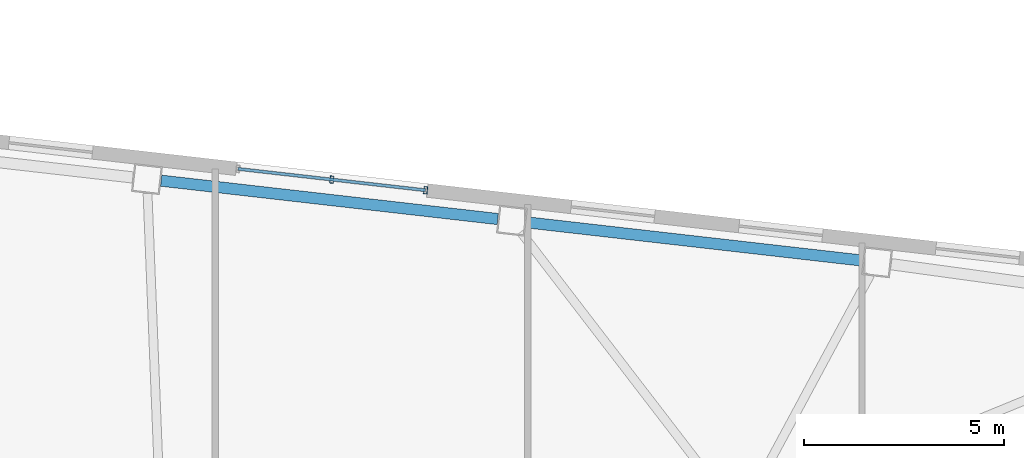
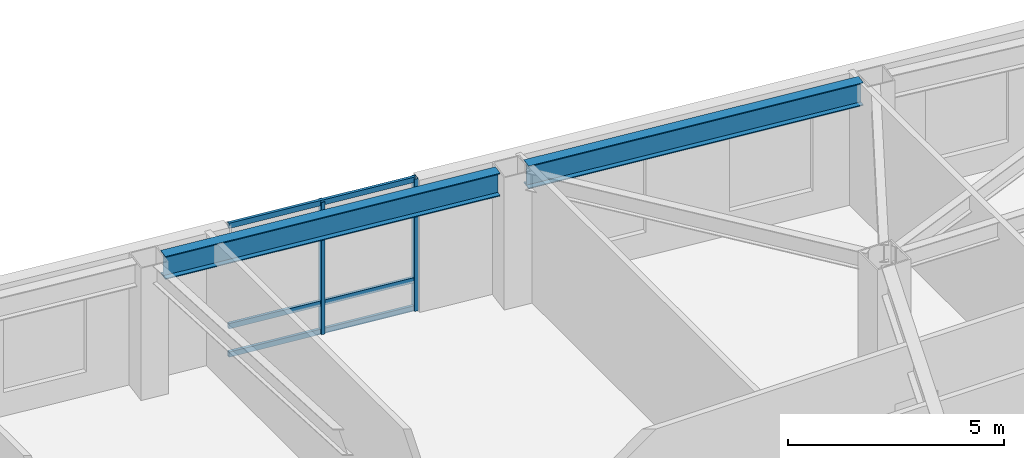
# One storey, part 8 of 19: 5 members, 2 beams, 1 element without a shape of its own.
"""IFC4 building model written with IfcOpenShell, lengths in metres."""

from ifc_helpers import new_model, si_unit, direction, frame, origin, origin_2d, place, context, subcontext, project, spatial, hollow_rectangle, i_section, extrude, material, layer, layer_set, material_profile, profile_set, type_object, element, aggregate, save


model = new_model("IFC4")

# Units and contexts
model_context = context("Model", 3, precision=1e-05, world=origin(), true_north=direction((0.0, 1.0)))
body_context = subcontext(model_context, "Body", "Model", "MODEL_VIEW")
ifc_project = project(units=[si_unit("LENGTHUNIT", "METRE"), si_unit("AREAUNIT", "SQUARE_METRE"), si_unit("VOLUMEUNIT", "CUBIC_METRE"), si_unit("PLANEANGLEUNIT", "RADIAN"), si_unit("MASSUNIT", "GRAM", prefix="KILO")], contexts=[model_context])

# Site, building, storey
site_placement = place(None, origin())
site = spatial("IfcSite", under=ifc_project, at=site_placement, CompositionType="ELEMENT")
building_placement = place(site_placement, origin())
building = spatial("IfcBuilding", under=site, at=building_placement, Name="Tavrogorsk Clinical Tower", CompositionType="ELEMENT")
storey_placement = place(building_placement, frame((0.0, 0.0, 101.39990234375)))
storey = spatial("IfcBuildingStorey", under=building, at=storey_placement, Name="L22", CompositionType="ELEMENT", Elevation=101.39990234375)

# Curtain wall, members
ifc_material_1 = material(Name="Anodised aluminium and triple IGU glazing", Category="aluminium")
ifc_layer = layer(ifc_material_1, 0.179931640625)
ifc_layer_set = layer_set([ifc_layer], Name="Anodised aluminium and triple IGU glazing")
curtain_wall_type = type_object("IfcCurtainWallType", Name="CW2_NorthSlot", PredefinedType="NOTDEFINED", material=ifc_layer_set)
curtain_wall_placement = place(storey_placement, origin())
curtain_wall = element("IfcCurtainWall", 1, at=curtain_wall_placement, inside=storey, type_object=curtain_wall_type, Name="L22 Curtain Wall CW-L22-N-SLOT-2", PredefinedType="NOTDEFINED")
ifc_material_2 = material(Name="Anodised aluminium alloy AW-6060", Category="aluminium")
ifc_material_profile_1 = material_profile(ifc_material_2, hollow_rectangle(XDim=0.090087890625, YDim=0.179931640625, WallThickness=0.00634765625, at=origin_2d()), Name="RHS-180x90x6.3")
ifc_profile_set_1 = profile_set([ifc_material_profile_1], Name="Anodised aluminium alloy AW-6060")
member_type_1 = type_object("IfcMemberType", Name="CwMullion_180x90", PredefinedType="MULLION", material=ifc_profile_set_1)
member_1_placement = place(storey_placement, frame((16.650146484375, 21.36572265625, 0.0), z_axis=(0.0, 0.0, 1.0), x_axis=(-0.993571855603, 0.11320321441, 0.0)))
member_1 = element("IfcMember", 2, at=member_1_placement, type_object=member_type_1, Name="CW-L22-N-SLOT-2 Mullion 1", PredefinedType="MULLION", context=body_context, shape_type="SweptSolid", body=[
    extrude(hollow_rectangle(XDim=0.090087890625, YDim=0.179931640625, WallThickness=0.00634765625, at=origin_2d()), origin(), (0.0, 0.0, 1.0), 3.739990234375),
])
member_2_placement = place(storey_placement, frame((14.306396484375, 21.6328125, 0.0), z_axis=(0.0, 0.0, 1.0), x_axis=(-0.993571855603, 0.11320321441, 0.0)))
member_2 = element("IfcMember", 3, at=member_2_placement, type_object=member_type_1, Name="CW-L22-N-SLOT-2 Mullion 2", PredefinedType="MULLION", context=body_context, shape_type="SweptSolid", body=[
    extrude(hollow_rectangle(XDim=0.090087890625, YDim=0.179931640625, WallThickness=0.00634765625, at=origin_2d()), origin(), (0.0, 0.0, 1.0), 3.739990234375),
])
ifc_material_3 = material(Name="Anodised aluminium alloy AW-6060", Category="aluminium")
ifc_material_profile_2 = material_profile(ifc_material_3, hollow_rectangle(XDim=0.074951171875, YDim=0.14990234375, WallThickness=0.0048828125, at=origin_2d()), Name="RHS-150x75x5")
ifc_profile_set_2 = profile_set([ifc_material_profile_2], Name="Anodised aluminium alloy AW-6060")
member_type_2 = type_object("IfcMemberType", Name="CwTransom_150x75", PredefinedType="USERDEFINED", material=ifc_profile_set_2)
member_3_placement = place(storey_placement, frame((16.650146484375, 21.36572265625, 0.050048828125), z_axis=(-0.993569315854, 0.113225503286, 0.0), x_axis=(-0.113225503286, -0.993569315854, 0.0)))
member_3 = element("IfcMember", 4, at=member_3_placement, type_object=member_type_2, Name="CW-L22-N-SLOT-2 Transom 1", ObjectType="TRANSOM", PredefinedType="USERDEFINED", context=body_context, shape_type="SweptSolid", body=[
    extrude(hollow_rectangle(XDim=0.074951171875, YDim=0.14990234375, WallThickness=0.0048828125, at=origin_2d()), origin(), (0.0, 0.0, 1.0), 4.7177734375),
])
member_4_placement = place(storey_placement, frame((16.650146484375, 21.36572265625, 0.85009765625), z_axis=(-0.993569315854, 0.113225503286, 0.0), x_axis=(-0.113225503286, -0.993569315854, 0.0)))
member_4 = element("IfcMember", 5, at=member_4_placement, type_object=member_type_2, Name="CW-L22-N-SLOT-2 Transom 2", ObjectType="TRANSOM", PredefinedType="USERDEFINED", context=body_context, shape_type="SweptSolid", body=[
    extrude(hollow_rectangle(XDim=0.074951171875, YDim=0.14990234375, WallThickness=0.0048828125, at=origin_2d()), origin(), (0.0, 0.0, 1.0), 4.7177734375),
])
member_5_placement = place(storey_placement, frame((16.650146484375, 21.36572265625, 3.690185546875), z_axis=(-0.993569315854, 0.113225503286, 0.0), x_axis=(-0.113225503286, -0.993569315854, 0.0)))
member_5 = element("IfcMember", 6, at=member_5_placement, type_object=member_type_2, Name="CW-L22-N-SLOT-2 Transom 3", ObjectType="TRANSOM", PredefinedType="USERDEFINED", context=body_context, shape_type="SweptSolid", body=[
    extrude(hollow_rectangle(XDim=0.074951171875, YDim=0.14990234375, WallThickness=0.0048828125, at=origin_2d()), origin(), (0.0, 0.0, 1.0), 4.7177734375),
])
aggregate(curtain_wall, [member_1, member_2, member_3, member_4, member_5])

# Beams
ifc_material_4 = material(Name="Structural steel S390", Category="steel")
ifc_material_profile_3 = material_profile(ifc_material_4, i_section(OverallWidth=0.280029296875, OverallDepth=0.64990234375, WebThickness=0.01611328125, FlangeThickness=0.02490234375, at=origin_2d()), Name="B-650x280x16x25")
ifc_profile_set_3 = profile_set([ifc_material_profile_3], Name="Structural steel S390")
beam_type = type_object("IfcBeamType", Name="SpandrelBeam_B650", PredefinedType="SPANDREL", material=ifc_profile_set_3)
beam_1_placement = place(storey_placement, frame((27.5703125, 19.608154296875, 3.4150390625), z_axis=(-0.993569819641, 0.113221082395, 0.0), x_axis=(-0.113221082395, -0.993569819641, 0.0)))
element("IfcBeam", 7, at=beam_1_placement, inside=storey, type_object=beam_type, Name="L22 Perimeter Spandrel N2-N3", PredefinedType="SPANDREL", context=body_context, shape_type="SweptSolid", body=[
    extrude(i_section(OverallWidth=0.280029296875, OverallDepth=0.64990234375, WebThickness=0.01611328125, FlangeThickness=0.02490234375, at=origin_2d()), origin(), (0.0, 0.0, 1.0), 8.46142578125),
])
beam_2_placement = place(storey_placement, frame((18.451904296875, 20.647216796875, 3.4150390625), z_axis=(-0.99357232562, 0.113199089054, 0.0), x_axis=(-0.113199089054, -0.99357232562, 0.0)))
element("IfcBeam", 8, at=beam_2_placement, inside=storey, type_object=beam_type, Name="L22 Perimeter Spandrel N3-N4", PredefinedType="SPANDREL", context=body_context, shape_type="SweptSolid", body=[
    extrude(i_section(OverallWidth=0.280029296875, OverallDepth=0.64990234375, WebThickness=0.01611328125, FlangeThickness=0.02490234375, at=origin_2d()), origin(), (0.0, 0.0, 1.0), 8.4609375),
])

save(model, "model.ifc")
